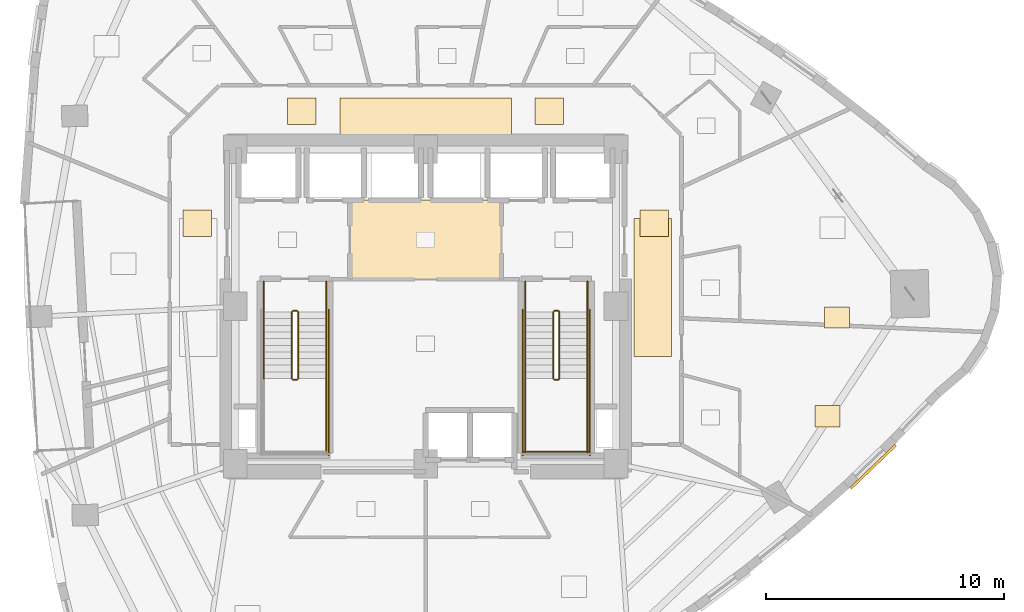
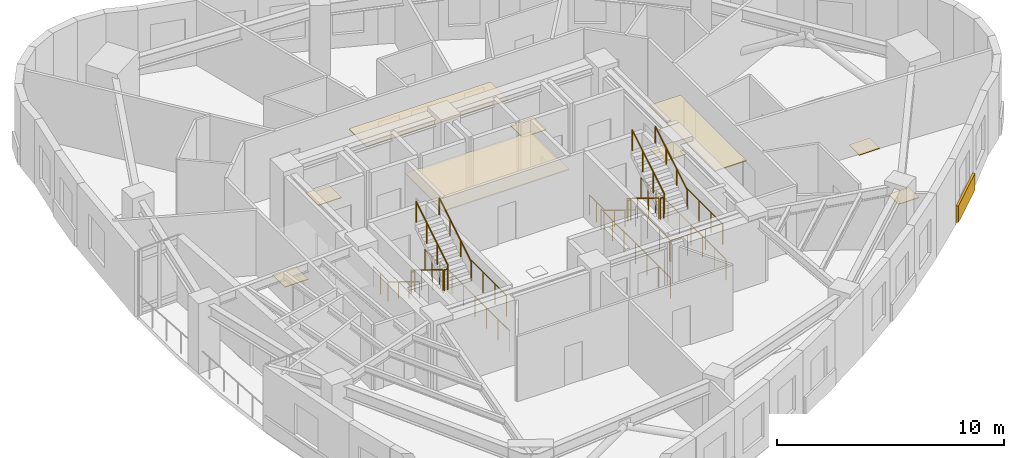
# One storey, part 12 of 13: 23 railings, 10 coverings.
"""IFC4 building model written with IfcOpenShell, lengths in metres."""

from ifc_helpers import new_model, si_unit, direction, frame, origin, origin_2d, place, context, subcontext, project, spatial, rectangle, circle, extrude, material, layer, layer_set, type_object, element, save


model = new_model("IFC4")

# Units and contexts
model_context = context("Model", 3, precision=1e-05, world=origin(), true_north=direction((0.0, 1.0)))
body_context = subcontext(model_context, "Body", "Model", "MODEL_VIEW")
ifc_project = project(units=[si_unit("LENGTHUNIT", "METRE"), si_unit("AREAUNIT", "SQUARE_METRE"), si_unit("VOLUMEUNIT", "CUBIC_METRE"), si_unit("PLANEANGLEUNIT", "RADIAN"), si_unit("MASSUNIT", "GRAM", prefix="KILO")], contexts=[model_context])

# Site, building, storey
site_placement = place(None, origin())
site = spatial("IfcSite", under=ifc_project, at=site_placement, CompositionType="ELEMENT")
building_placement = place(site_placement, origin())
building = spatial("IfcBuilding", under=site, at=building_placement, Name="Ndelora Gate Hotel", CompositionType="ELEMENT")
storey_placement = place(building_placement, frame((0.0, 0.0, 134.75)))
storey = spatial("IfcBuildingStorey", under=building, at=storey_placement, Name="L33", CompositionType="ELEMENT", Elevation=134.75)

# Coverings
ifc_material_1 = material(Name="Perforated Acoustic Gypsum Board", Category="gypsum")
ifc_layer_1 = layer(ifc_material_1, 0.054931640625)
ifc_layer_set_1 = layer_set([ifc_layer_1], Name="Perforated Acoustic Gypsum Board")
covering_type_1 = type_object("IfcCoveringType", Name="COV-CEIL-AC60", PredefinedType="CEILING", material=ifc_layer_set_1)
covering_1_placement = place(storey_placement, frame((0.0, 2.800048828125, 2.72265625), z_axis=(0.0, 0.0, 1.0), x_axis=(1.0, 0.0, 0.0)))
element("IfcCovering", 1, at=covering_1_placement, inside=storey, type_object=covering_type_1, Name="L33 Lift Lobby Acoustic Ceiling", PredefinedType="CEILING", context=body_context, shape_type="SweptSolid", body=[
    extrude(rectangle(XDim=6.39990234375, YDim=3.340087890625, at=origin_2d()), origin(), (0.0, 0.0, 1.0), 0.054931640625),
])
covering_2_placement = place(storey_placement, frame((0.0, 7.9599609375, 2.65234375), z_axis=(0.0, 0.0, 1.0), x_axis=(1.0, 0.0, 0.0)))
element("IfcCovering", 2, at=covering_2_placement, inside=storey, type_object=covering_type_1, Name="L33 Guest Corridor Acoustic Ceiling N", PredefinedType="CEILING", context=body_context, shape_type="SweptSolid", body=[
    extrude(rectangle(XDim=7.199951171875, YDim=1.580078125, at=origin_2d()), origin(), (0.0, 0.0, 1.0), 0.054931640625),
])
covering_3_placement = place(storey_placement, frame((9.550048828125, 0.800048828125, 2.65234375), z_axis=(0.0, 0.0, 1.0), x_axis=(1.0, 0.0, 0.0)))
element("IfcCovering", 3, at=covering_3_placement, inside=storey, type_object=covering_type_1, Name="L33 Guest Corridor Acoustic Ceiling E", PredefinedType="CEILING", context=body_context, shape_type="SweptSolid", body=[
    extrude(rectangle(XDim=1.580078125, YDim=5.800048828125, at=origin_2d()), origin(), (0.0, 0.0, 1.0), 0.054931640625),
])
ifc_material_2 = material(Name="Terracotta Fired Clay Brick Slip Cladding", Category="masonry")
ifc_layer_2 = layer(ifc_material_2, 0.110107421875)
ifc_layer_set_2 = layer_set([ifc_layer_2], Name="Terracotta Fired Clay Brick Slip Cladding")
covering_type_2 = type_object("IfcCoveringType", Name="COV-CLAD-BRK", PredefinedType="CLADDING", material=ifc_layer_set_2)
covering_4_placement = place(storey_placement, frame((18.802734375, -6.738525390625, 0.10009765625), z_axis=(0.0, 0.0, 1.0), x_axis=(0.721397723859, 0.692520991747, 0.0)))
element("IfcCovering", 4, at=covering_4_placement, inside=storey, type_object=covering_type_2, Name="L33 Rounded-Corner Brick Cladding Band 37", PredefinedType="CLADDING", context=body_context, shape_type="SweptSolid", body=[
    extrude(rectangle(XDim=2.6279296875, YDim=0.110107421875, at=origin_2d()), origin(), (0.0, 0.0, 1.0), 0.89990234375),
])
ifc_material_3 = material(Name="Engineered Highland Oak Parquet", Category="wood")
ifc_layer_3 = layer(ifc_material_3, 0.030029296875)
ifc_layer_set_3 = layer_set([ifc_layer_3], Name="Engineered Highland Oak Parquet")
covering_type_3 = type_object("IfcCoveringType", Name="COV-FLR-PARQ", PredefinedType="FLOORING", material=ifc_layer_set_3)
for number, where, z_axis, x_axis, name in (
    (5, (16.89501953125, -4.60546875, 0.0), (0.0, 0.0, 1.0), (1.0, 0.0, 0.0), "L33 Corner Junior Suite 3603 Oak Parquet Flooring"),
    (6, (17.279541015625, -0.463623046875, 0.0), (0.0, 0.0, 1.0), (1.0, 0.0, 0.0), "L33 Housekeeping and Linen Room Oak Parquet Flooring"),
):
    element("IfcCovering", number, at=place(storey_placement, frame(where, z_axis=z_axis, x_axis=x_axis)), inside=storey, type_object=covering_type_3, Name=name, PredefinedType="FLOORING", context=body_context, shape_type="SweptSolid", body=[
        extrude(rectangle(XDim=1.050048828125, YDim=0.89990234375, at=origin_2d()), origin(), (0.0, 0.0, 1.0), 0.030029296875),
    ])
ifc_material_4 = material(Name="Polished Highland Stone Terrazzo", Category="masonry")
ifc_layer_4 = layer(ifc_material_4, 0.034912109375)
ifc_layer_set_4 = layer_set([ifc_layer_4], Name="Polished Highland Stone Terrazzo")
covering_type_4 = type_object("IfcCoveringType", Name="COV-FLR-TERZ", PredefinedType="FLOORING", material=ifc_layer_set_4)
for number, where, z_axis, x_axis, name in (
    (7, (-5.199951171875, 8.199951171875, 0.0), (0.0, 0.0, 1.0), (1.0, 0.0, 0.0), "L33 Corridor Threshold Terrazzo Inlay NW"),
    (8, (5.199951171875, 8.199951171875, 0.0), (0.0, 0.0, 1.0), (1.0, 0.0, 0.0), "L33 Corridor Threshold Terrazzo Inlay NE"),
    (9, (-9.60009765625, 3.5, 0.0), (0.0, 0.0, 1.0), (1.0, 0.0, 0.0), "L33 Corridor Threshold Terrazzo Inlay W"),
    (10, (9.60009765625, 3.5, 0.0), (0.0, 0.0, 1.0), (1.0, 0.0, 0.0), "L33 Corridor Threshold Terrazzo Inlay E"),
):
    element("IfcCovering", number, at=place(storey_placement, frame(where, z_axis=z_axis, x_axis=x_axis)), inside=storey, type_object=covering_type_4, Name=name, PredefinedType="FLOORING", context=body_context, shape_type="SweptSolid", body=[
        extrude(rectangle(XDim=1.199951171875, YDim=1.10009765625, at=origin_2d()), origin(), (0.0, 0.0, 1.0), 0.034912109375),
    ])

# Railings
ifc_material_5 = material(Name="Painted Galvanized Steel Balustrade", Category="steel")
ifc_layer_5 = layer(ifc_material_5, 0.06005859375)
ifc_layer_set_5 = layer_set([ifc_layer_5], Name="Painted Galvanized Steel Balustrade")
railing_type_1 = type_object("IfcRailingType", Name="RL-STAIR-GD", PredefinedType="GUARDRAIL", material=ifc_layer_set_5)
railing_1_placement = place(storey_placement, frame((-5.6201171875, -0.22998046875, 0.17041015625)))
element("IfcRailing", 11, at=railing_1_placement, inside=storey, type_object=railing_type_1, Name="L33 ST4 stair guard 1", PredefinedType="GUARDRAIL", context=body_context, shape_type="SweptSolid", body=[
    extrude(circle(Radius=0.02392578125, at=origin_2d()), frame((0.0, 0.0, 1.10595703125), z_axis=(0.0, -0.854169791009, 0.51999420009), x_axis=(1.0, 0.0, 0.0)), (0.0, 0.0, 1.0), 3.278076171875),
    extrude(circle(Radius=0.02099609375, at=origin_2d()), origin(), (0.0, 0.0, 1.0), 1.081787109375),
    extrude(circle(Radius=0.02099609375, at=origin_2d()), frame((0.0, -0.933349609375, 0.568115234375)), (0.0, 0.0, 1.0), 1.081787109375),
    extrude(circle(Radius=0.02099609375, at=origin_2d()), frame((0.0, -1.86669921875, 1.136474609375)), (0.0, 0.0, 1.0), 1.081787109375),
    extrude(circle(Radius=0.02099609375, at=origin_2d()), frame((0.0, -2.800048828125, 1.70458984375)), (0.0, 0.0, 1.0), 1.081787109375),
])
railing_2_placement = place(storey_placement, frame((-5.570068359375, -3.080078125, 1.875)))
element("IfcRailing", 12, at=railing_2_placement, inside=storey, type_object=railing_type_1, Name="L33 ST4 stair guard 2", PredefinedType="GUARDRAIL", context=body_context, shape_type="SweptSolid", body=[
    extrude(circle(Radius=0.02392578125, at=origin_2d()), frame((0.0, 0.0, 1.10595703125), z_axis=(1.0, 0.0, 0.0), x_axis=(0.0, 1.0, 0.0)), (0.0, 0.0, 1.0), 0.16015625),
    extrude(circle(Radius=0.02099609375, at=origin_2d()), origin(), (0.0, 0.0, 1.0), 1.081787109375),
    extrude(circle(Radius=0.02099609375, at=origin_2d()), frame((0.16015625, 0.0, 0.0)), (0.0, 0.0, 1.0), 1.081787109375),
])
railing_3_placement = place(storey_placement, frame((-4.179931640625, -3.030029296875, 1.875)))
element("IfcRailing", 13, at=railing_3_placement, inside=storey, type_object=railing_type_1, Name="L33 ST4 stair guard 4", PredefinedType="GUARDRAIL", context=body_context, shape_type="SweptSolid", body=[
    extrude(circle(Radius=0.02392578125, at=origin_2d()), frame((0.0, 0.0, 1.10595703125), z_axis=(0.0, -1.0, 0.0), x_axis=(1.0, 0.0, 0.0)), (0.0, 0.0, 1.0), 3.119873046875),
    extrude(circle(Radius=0.02099609375, at=origin_2d()), origin(), (0.0, 0.0, 1.0), 1.081787109375),
    extrude(circle(Radius=0.02099609375, at=origin_2d()), frame((0.0, -1.0400390625, 0.0)), (0.0, 0.0, 1.0), 1.081787109375),
    extrude(circle(Radius=0.02099609375, at=origin_2d()), frame((0.0, -2.079833984375, 0.0)), (0.0, 0.0, 1.0), 1.081787109375),
    extrude(circle(Radius=0.02099609375, at=origin_2d()), frame((0.0, -3.119873046875, 0.0)), (0.0, 0.0, 1.0), 1.081787109375),
])
railing_4_placement = place(storey_placement, frame((-5.360107421875, -3.030029296875, 2.04541015625)))
element("IfcRailing", 14, at=railing_4_placement, inside=storey, type_object=railing_type_1, Name="L33 ST4 stair guard 6", PredefinedType="GUARDRAIL", context=body_context, shape_type="SweptSolid", body=[
    extrude(circle(Radius=0.02392578125, at=origin_2d()), frame((0.0, 0.0, 1.10595703125), z_axis=(0.0, 0.854169791009, 0.51999420009), x_axis=(-1.0, 0.0, 0.0)), (0.0, 0.0, 1.0), 3.278076171875),
    extrude(circle(Radius=0.02099609375, at=origin_2d()), origin(), (0.0, 0.0, 1.0), 1.081787109375),
    extrude(circle(Radius=0.02099609375, at=origin_2d()), frame((0.0, 0.933349609375, 0.568115234375)), (0.0, 0.0, 1.0), 1.081787109375),
    extrude(circle(Radius=0.02099609375, at=origin_2d()), frame((0.0, 1.86669921875, 1.136474609375)), (0.0, 0.0, 1.0), 1.081787109375),
    extrude(circle(Radius=0.02099609375, at=origin_2d()), frame((0.0, 2.800048828125, 1.70458984375)), (0.0, 0.0, 1.0), 1.081787109375),
])
railing_5_placement = place(storey_placement, frame((-5.570068359375, -0.179931640625, 0.0)))
element("IfcRailing", 15, at=railing_5_placement, inside=storey, type_object=railing_type_1, Name="L33 ST4 stair guard 7", PredefinedType="GUARDRAIL", context=body_context, shape_type="SweptSolid", body=[
    extrude(circle(Radius=0.02392578125, at=origin_2d()), frame((0.0, 0.0, 1.10595703125), z_axis=(1.0, 0.0, 0.0), x_axis=(0.0, 1.0, 0.0)), (0.0, 0.0, 1.0), 0.16015625),
    extrude(circle(Radius=0.02099609375, at=origin_2d()), origin(), (0.0, 0.0, 1.0), 1.081787109375),
    extrude(circle(Radius=0.02099609375, at=origin_2d()), frame((0.16015625, 0.0, 0.0)), (0.0, 0.0, 1.0), 1.081787109375),
])
for number, where, name in (
    (16, (-6.800048828125, 1.050048828125, 0.0), "L33 ST4 stair guard 8"),
    (17, (-4.179931640625, 1.050048828125, 0.0), "L33 ST4 stair guard 9"),
):
    element("IfcRailing", number, at=place(storey_placement, frame(where)), inside=storey, type_object=railing_type_1, Name=name, PredefinedType="GUARDRAIL", context=body_context, shape_type="SweptSolid", body=[
        extrude(circle(Radius=0.02392578125, at=origin_2d()), frame((0.0, 0.0, 1.10595703125), z_axis=(0.0, -1.0, 0.0), x_axis=(1.0, 0.0, 0.0)), (0.0, 0.0, 1.0), 1.280029296875),
        extrude(circle(Radius=0.02099609375, at=origin_2d()), origin(), (0.0, 0.0, 1.0), 1.081787109375),
        extrude(circle(Radius=0.02099609375, at=origin_2d()), frame((0.0, -0.64013671875, 0.0)), (0.0, 0.0, 1.0), 1.081787109375),
        extrude(circle(Radius=0.02099609375, at=origin_2d()), frame((0.0, -1.280029296875, 0.0)), (0.0, 0.0, 1.0), 1.081787109375),
    ])
railing_6_placement = place(storey_placement, frame((-4.080078125, -0.1298828125, 0.0)))
element("IfcRailing", 18, at=railing_6_placement, inside=storey, type_object=railing_type_1, Name="L33 ST4 stair guard 11", PredefinedType="GUARDRAIL", context=body_context, shape_type="SweptSolid", body=[
    extrude(circle(Radius=0.02392578125, at=origin_2d()), frame((0.0, 0.0, 1.10595703125), z_axis=(0.0, -1.0, 0.0), x_axis=(1.0, 0.0, 0.0)), (0.0, 0.0, 1.0), 6.1201171875),
    extrude(circle(Radius=0.02099609375, at=origin_2d()), origin(), (0.0, 0.0, 1.0), 1.081787109375),
    extrude(circle(Radius=0.02099609375, at=origin_2d()), frame((0.0, -1.02001953125, 0.0)), (0.0, 0.0, 1.0), 1.081787109375),
    extrude(circle(Radius=0.02099609375, at=origin_2d()), frame((0.0, -2.0400390625, 0.0)), (0.0, 0.0, 1.0), 1.081787109375),
    extrude(circle(Radius=0.02099609375, at=origin_2d()), frame((0.0, -3.06005859375, 0.0)), (0.0, 0.0, 1.0), 1.081787109375),
    extrude(circle(Radius=0.02099609375, at=origin_2d()), frame((0.0, -4.080078125, 0.0)), (0.0, 0.0, 1.0), 1.081787109375),
    extrude(circle(Radius=0.02099609375, at=origin_2d()), frame((0.0, -5.10009765625, 0.0)), (0.0, 0.0, 1.0), 1.081787109375),
    extrude(circle(Radius=0.02099609375, at=origin_2d()), frame((0.0, -6.1201171875, 0.0)), (0.0, 0.0, 1.0), 1.081787109375),
])
railing_7_placement = place(storey_placement, frame((5.360107421875, -0.22998046875, 0.17041015625)))
element("IfcRailing", 19, at=railing_7_placement, inside=storey, type_object=railing_type_1, Name="L33 ST5 stair guard 1", PredefinedType="GUARDRAIL", context=body_context, shape_type="SweptSolid", body=[
    extrude(circle(Radius=0.02392578125, at=origin_2d()), frame((0.0, 0.0, 1.10595703125), z_axis=(0.0, -0.854169791009, 0.51999420009), x_axis=(1.0, 0.0, 0.0)), (0.0, 0.0, 1.0), 3.278076171875),
    extrude(circle(Radius=0.02099609375, at=origin_2d()), origin(), (0.0, 0.0, 1.0), 1.081787109375),
    extrude(circle(Radius=0.02099609375, at=origin_2d()), frame((0.0, -0.933349609375, 0.568115234375)), (0.0, 0.0, 1.0), 1.081787109375),
    extrude(circle(Radius=0.02099609375, at=origin_2d()), frame((0.0, -1.86669921875, 1.136474609375)), (0.0, 0.0, 1.0), 1.081787109375),
    extrude(circle(Radius=0.02099609375, at=origin_2d()), frame((0.0, -2.800048828125, 1.70458984375)), (0.0, 0.0, 1.0), 1.081787109375),
])
railing_8_placement = place(storey_placement, frame((5.409912109375, -3.080078125, 1.875)))
element("IfcRailing", 20, at=railing_8_placement, inside=storey, type_object=railing_type_1, Name="L33 ST5 stair guard 2", PredefinedType="GUARDRAIL", context=body_context, shape_type="SweptSolid", body=[
    extrude(circle(Radius=0.02392578125, at=origin_2d()), frame((0.0, 0.0, 1.10595703125), z_axis=(1.0, 0.0, 0.0), x_axis=(0.0, 1.0, 0.0)), (0.0, 0.0, 1.0), 0.16015625),
    extrude(circle(Radius=0.02099609375, at=origin_2d()), origin(), (0.0, 0.0, 1.0), 1.081787109375),
    extrude(circle(Radius=0.02099609375, at=origin_2d()), frame((0.16015625, 0.0, 0.0)), (0.0, 0.0, 1.0), 1.081787109375),
])
for number, where, name in (
    (21, (4.179931640625, -3.030029296875, 1.875), "L33 ST5 stair guard 3"),
    (22, (6.800048828125, -3.030029296875, 1.875), "L33 ST5 stair guard 4"),
):
    element("IfcRailing", number, at=place(storey_placement, frame(where)), inside=storey, type_object=railing_type_1, Name=name, PredefinedType="GUARDRAIL", context=body_context, shape_type="SweptSolid", body=[
        extrude(circle(Radius=0.02392578125, at=origin_2d()), frame((0.0, 0.0, 1.10595703125), z_axis=(0.0, -1.0, 0.0), x_axis=(1.0, 0.0, 0.0)), (0.0, 0.0, 1.0), 3.119873046875),
        extrude(circle(Radius=0.02099609375, at=origin_2d()), origin(), (0.0, 0.0, 1.0), 1.081787109375),
        extrude(circle(Radius=0.02099609375, at=origin_2d()), frame((0.0, -1.0400390625, 0.0)), (0.0, 0.0, 1.0), 1.081787109375),
        extrude(circle(Radius=0.02099609375, at=origin_2d()), frame((0.0, -2.079833984375, 0.0)), (0.0, 0.0, 1.0), 1.081787109375),
        extrude(circle(Radius=0.02099609375, at=origin_2d()), frame((0.0, -3.119873046875, 0.0)), (0.0, 0.0, 1.0), 1.081787109375),
    ])
railing_9_placement = place(storey_placement, frame((4.1298828125, -6.10009765625, 1.875)))
element("IfcRailing", 23, at=railing_9_placement, inside=storey, type_object=railing_type_1, Name="L33 ST5 stair guard 5", PredefinedType="GUARDRAIL", context=body_context, shape_type="SweptSolid", body=[
    extrude(circle(Radius=0.02392578125, at=origin_2d()), frame((0.0, 0.0, 1.10595703125), z_axis=(1.0, 0.0, 0.0), x_axis=(0.0, 1.0, 0.0)), (0.0, 0.0, 1.0), 2.72021484375),
    extrude(circle(Radius=0.02099609375, at=origin_2d()), origin(), (0.0, 0.0, 1.0), 1.081787109375),
    extrude(circle(Radius=0.02099609375, at=origin_2d()), frame((0.90673828125, 0.0, 0.0)), (0.0, 0.0, 1.0), 1.081787109375),
    extrude(circle(Radius=0.02099609375, at=origin_2d()), frame((1.8134765625, 0.0, 0.0)), (0.0, 0.0, 1.0), 1.081787109375),
    extrude(circle(Radius=0.02099609375, at=origin_2d()), frame((2.72021484375, 0.0, 0.0)), (0.0, 0.0, 1.0), 1.081787109375),
])
railing_10_placement = place(storey_placement, frame((5.6201171875, -3.030029296875, 2.04541015625)))
element("IfcRailing", 24, at=railing_10_placement, inside=storey, type_object=railing_type_1, Name="L33 ST5 stair guard 6", PredefinedType="GUARDRAIL", context=body_context, shape_type="SweptSolid", body=[
    extrude(circle(Radius=0.02392578125, at=origin_2d()), frame((0.0, 0.0, 1.10595703125), z_axis=(0.0, 0.854169791009, 0.51999420009), x_axis=(-1.0, 0.0, 0.0)), (0.0, 0.0, 1.0), 3.278076171875),
    extrude(circle(Radius=0.02099609375, at=origin_2d()), origin(), (0.0, 0.0, 1.0), 1.081787109375),
    extrude(circle(Radius=0.02099609375, at=origin_2d()), frame((0.0, 0.933349609375, 0.568115234375)), (0.0, 0.0, 1.0), 1.081787109375),
    extrude(circle(Radius=0.02099609375, at=origin_2d()), frame((0.0, 1.86669921875, 1.136474609375)), (0.0, 0.0, 1.0), 1.081787109375),
    extrude(circle(Radius=0.02099609375, at=origin_2d()), frame((0.0, 2.800048828125, 1.70458984375)), (0.0, 0.0, 1.0), 1.081787109375),
])
railing_11_placement = place(storey_placement, frame((5.409912109375, -0.179931640625, 0.0)))
element("IfcRailing", 25, at=railing_11_placement, inside=storey, type_object=railing_type_1, Name="L33 ST5 stair guard 7", PredefinedType="GUARDRAIL", context=body_context, shape_type="SweptSolid", body=[
    extrude(circle(Radius=0.02392578125, at=origin_2d()), frame((0.0, 0.0, 1.10595703125), z_axis=(1.0, 0.0, 0.0), x_axis=(0.0, 1.0, 0.0)), (0.0, 0.0, 1.0), 0.16015625),
    extrude(circle(Radius=0.02099609375, at=origin_2d()), origin(), (0.0, 0.0, 1.0), 1.081787109375),
    extrude(circle(Radius=0.02099609375, at=origin_2d()), frame((0.16015625, 0.0, 0.0)), (0.0, 0.0, 1.0), 1.081787109375),
])
for number, where, name in (
    (26, (4.179931640625, 1.050048828125, 0.0), "L33 ST5 stair guard 8"),
    (27, (6.800048828125, 1.050048828125, 0.0), "L33 ST5 stair guard 9"),
):
    element("IfcRailing", number, at=place(storey_placement, frame(where)), inside=storey, type_object=railing_type_1, Name=name, PredefinedType="GUARDRAIL", context=body_context, shape_type="SweptSolid", body=[
        extrude(circle(Radius=0.02392578125, at=origin_2d()), frame((0.0, 0.0, 1.10595703125), z_axis=(0.0, -1.0, 0.0), x_axis=(1.0, 0.0, 0.0)), (0.0, 0.0, 1.0), 1.280029296875),
        extrude(circle(Radius=0.02099609375, at=origin_2d()), origin(), (0.0, 0.0, 1.0), 1.081787109375),
        extrude(circle(Radius=0.02099609375, at=origin_2d()), frame((0.0, -0.64013671875, 0.0)), (0.0, 0.0, 1.0), 1.081787109375),
        extrude(circle(Radius=0.02099609375, at=origin_2d()), frame((0.0, -1.280029296875, 0.0)), (0.0, 0.0, 1.0), 1.081787109375),
    ])
for number, where, name in (
    (28, (4.080078125, -0.1298828125, 0.0), "L33 ST5 stair guard 10"),
    (29, (6.89990234375, -0.1298828125, 0.0), "L33 ST5 stair guard 11"),
):
    element("IfcRailing", number, at=place(storey_placement, frame(where)), inside=storey, type_object=railing_type_1, Name=name, PredefinedType="GUARDRAIL", context=body_context, shape_type="SweptSolid", body=[
        extrude(circle(Radius=0.02392578125, at=origin_2d()), frame((0.0, 0.0, 1.10595703125), z_axis=(0.0, -1.0, 0.0), x_axis=(1.0, 0.0, 0.0)), (0.0, 0.0, 1.0), 6.1201171875),
        extrude(circle(Radius=0.02099609375, at=origin_2d()), origin(), (0.0, 0.0, 1.0), 1.081787109375),
        extrude(circle(Radius=0.02099609375, at=origin_2d()), frame((0.0, -1.02001953125, 0.0)), (0.0, 0.0, 1.0), 1.081787109375),
        extrude(circle(Radius=0.02099609375, at=origin_2d()), frame((0.0, -2.0400390625, 0.0)), (0.0, 0.0, 1.0), 1.081787109375),
        extrude(circle(Radius=0.02099609375, at=origin_2d()), frame((0.0, -3.06005859375, 0.0)), (0.0, 0.0, 1.0), 1.081787109375),
        extrude(circle(Radius=0.02099609375, at=origin_2d()), frame((0.0, -4.080078125, 0.0)), (0.0, 0.0, 1.0), 1.081787109375),
        extrude(circle(Radius=0.02099609375, at=origin_2d()), frame((0.0, -5.10009765625, 0.0)), (0.0, 0.0, 1.0), 1.081787109375),
        extrude(circle(Radius=0.02099609375, at=origin_2d()), frame((0.0, -6.1201171875, 0.0)), (0.0, 0.0, 1.0), 1.081787109375),
    ])
ifc_material_6 = material(Name="Brushed Stainless Steel 316", Category="steel")
ifc_layer_6 = layer(ifc_material_6, 0.050048828125)
ifc_layer_set_6 = layer_set([ifc_layer_6], Name="Brushed Stainless Steel 316")
railing_type_2 = type_object("IfcRailingType", Name="RL-STAIR-HR", PredefinedType="HANDRAIL", material=ifc_layer_set_6)
railing_12_placement = place(storey_placement, frame((-6.800048828125, -0.22998046875, 0.17041015625)))
element("IfcRailing", 30, at=railing_12_placement, inside=storey, type_object=railing_type_2, Name="L33 ST4 stair handrail 1", PredefinedType="HANDRAIL", context=body_context, shape_type="SweptSolid", body=[
    extrude(circle(Radius=0.02392578125, at=origin_2d()), frame((0.0, 0.0, 0.8759765625), z_axis=(0.0, -0.854169791009, 0.51999420009), x_axis=(1.0, 0.0, 0.0)), (0.0, 0.0, 1.0), 3.278076171875),
    extrude(circle(Radius=0.02099609375, at=origin_2d()), origin(), (0.0, 0.0, 1.0), 0.851806640625),
    extrude(circle(Radius=0.02099609375, at=origin_2d()), frame((0.0, -0.933349609375, 0.568115234375)), (0.0, 0.0, 1.0), 0.851806640625),
    extrude(circle(Radius=0.02099609375, at=origin_2d()), frame((0.0, -1.86669921875, 1.136474609375)), (0.0, 0.0, 1.0), 0.851806640625),
    extrude(circle(Radius=0.02099609375, at=origin_2d()), frame((0.0, -2.800048828125, 1.70458984375)), (0.0, 0.0, 1.0), 0.851806640625),
])
railing_13_placement = place(storey_placement, frame((-4.179931640625, -3.030029296875, 2.04541015625)))
element("IfcRailing", 31, at=railing_13_placement, inside=storey, type_object=railing_type_2, Name="L33 ST4 stair handrail 2", PredefinedType="HANDRAIL", context=body_context, shape_type="SweptSolid", body=[
    extrude(circle(Radius=0.02392578125, at=origin_2d()), frame((0.0, 0.0, 0.8759765625), z_axis=(0.0, 0.854169791009, 0.51999420009), x_axis=(-1.0, 0.0, 0.0)), (0.0, 0.0, 1.0), 3.278076171875),
    extrude(circle(Radius=0.02099609375, at=origin_2d()), origin(), (0.0, 0.0, 1.0), 0.851806640625),
    extrude(circle(Radius=0.02099609375, at=origin_2d()), frame((0.0, 0.933349609375, 0.568115234375)), (0.0, 0.0, 1.0), 0.851806640625),
    extrude(circle(Radius=0.02099609375, at=origin_2d()), frame((0.0, 1.86669921875, 1.136474609375)), (0.0, 0.0, 1.0), 0.851806640625),
    extrude(circle(Radius=0.02099609375, at=origin_2d()), frame((0.0, 2.800048828125, 1.70458984375)), (0.0, 0.0, 1.0), 0.851806640625),
])
railing_14_placement = place(storey_placement, frame((4.179931640625, -0.22998046875, 0.17041015625)))
element("IfcRailing", 32, at=railing_14_placement, inside=storey, type_object=railing_type_2, Name="L33 ST5 stair handrail 1", PredefinedType="HANDRAIL", context=body_context, shape_type="SweptSolid", body=[
    extrude(circle(Radius=0.02392578125, at=origin_2d()), frame((0.0, 0.0, 0.8759765625), z_axis=(0.0, -0.854169791009, 0.51999420009), x_axis=(1.0, 0.0, 0.0)), (0.0, 0.0, 1.0), 3.278076171875),
    extrude(circle(Radius=0.02099609375, at=origin_2d()), origin(), (0.0, 0.0, 1.0), 0.851806640625),
    extrude(circle(Radius=0.02099609375, at=origin_2d()), frame((0.0, -0.933349609375, 0.568115234375)), (0.0, 0.0, 1.0), 0.851806640625),
    extrude(circle(Radius=0.02099609375, at=origin_2d()), frame((0.0, -1.86669921875, 1.136474609375)), (0.0, 0.0, 1.0), 0.851806640625),
    extrude(circle(Radius=0.02099609375, at=origin_2d()), frame((0.0, -2.800048828125, 1.70458984375)), (0.0, 0.0, 1.0), 0.851806640625),
])
railing_15_placement = place(storey_placement, frame((6.800048828125, -3.030029296875, 2.04541015625)))
element("IfcRailing", 33, at=railing_15_placement, inside=storey, type_object=railing_type_2, Name="L33 ST5 stair handrail 2", PredefinedType="HANDRAIL", context=body_context, shape_type="SweptSolid", body=[
    extrude(circle(Radius=0.02392578125, at=origin_2d()), frame((0.0, 0.0, 0.8759765625), z_axis=(0.0, 0.854169791009, 0.51999420009), x_axis=(-1.0, 0.0, 0.0)), (0.0, 0.0, 1.0), 3.278076171875),
    extrude(circle(Radius=0.02099609375, at=origin_2d()), origin(), (0.0, 0.0, 1.0), 0.851806640625),
    extrude(circle(Radius=0.02099609375, at=origin_2d()), frame((0.0, 0.933349609375, 0.568115234375)), (0.0, 0.0, 1.0), 0.851806640625),
    extrude(circle(Radius=0.02099609375, at=origin_2d()), frame((0.0, 1.86669921875, 1.136474609375)), (0.0, 0.0, 1.0), 0.851806640625),
    extrude(circle(Radius=0.02099609375, at=origin_2d()), frame((0.0, 2.800048828125, 1.70458984375)), (0.0, 0.0, 1.0), 0.851806640625),
])

save(model, "model.ifc")
